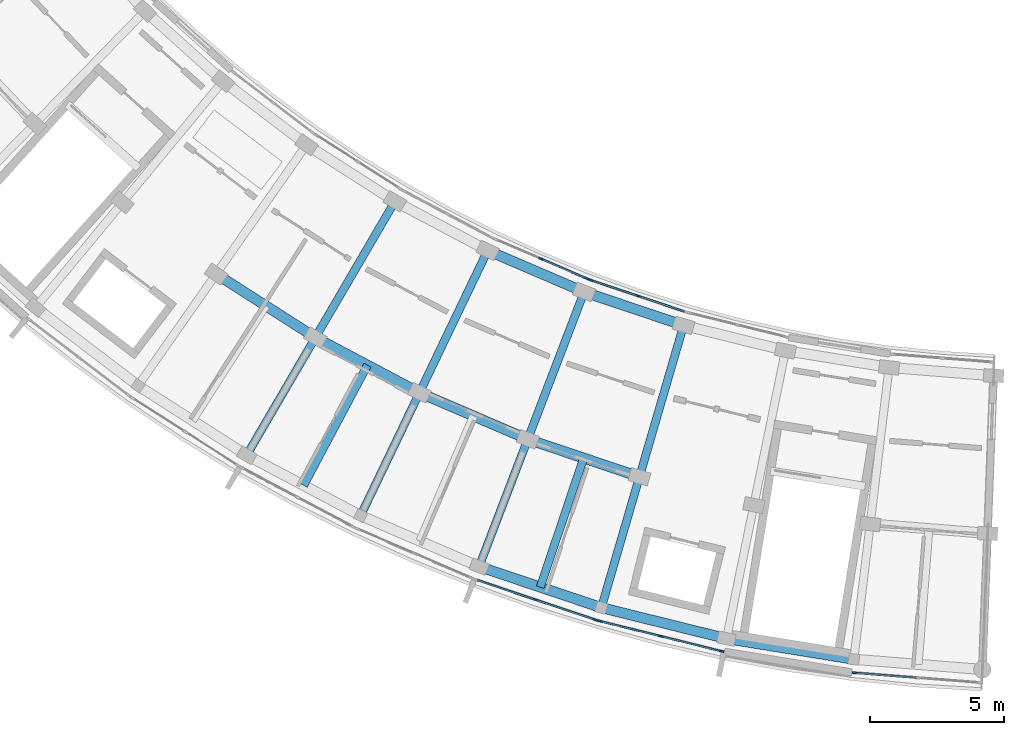
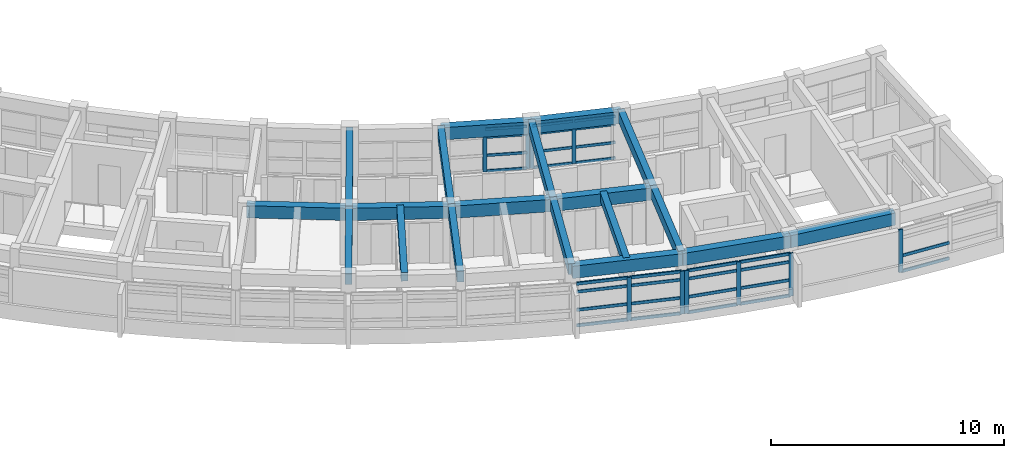
# One storey, part 10 of 38: 40 members, 19 beams, 5 elements without a shape of their own.
"""IFC4 building model written with IfcOpenShell, lengths in metres."""

from ifc_helpers import new_model, si_unit, direction, frame, origin, origin_2d, place, context, subcontext, project, spatial, rectangle, extrude, material, material_profile, profile_set, type_object, element, aggregate, save


model = new_model("IFC4")

# Units and contexts
model_context = context("Model", 3, precision=1e-05, world=origin(), true_north=direction((0.0, 1.0)))
body_context = subcontext(model_context, "Body", "Model", "MODEL_VIEW")
ifc_project = project(units=[si_unit("LENGTHUNIT", "METRE"), si_unit("AREAUNIT", "SQUARE_METRE"), si_unit("VOLUMEUNIT", "CUBIC_METRE"), si_unit("PLANEANGLEUNIT", "RADIAN"), si_unit("MASSUNIT", "GRAM", prefix="KILO")], contexts=[model_context])

# Site, building, storey
site_placement = place(None, origin())
site = spatial("IfcSite", under=ifc_project, at=site_placement, CompositionType="ELEMENT")
building_placement = place(site_placement, origin())
building = spatial("IfcBuilding", under=site, at=building_placement, Name="Zimvara Arc Housing Community", CompositionType="ELEMENT")
storey_placement = place(building_placement, frame((0.0, 0.0, 29.800048828125)))
storey = spatial("IfcBuildingStorey", under=building, at=storey_placement, Name="L09", CompositionType="ELEMENT", Elevation=29.800048828125)

# Beams
ifc_material_1 = material(Name="Concrete C40/50", Category="concrete")
ifc_material_profile_1 = material_profile(ifc_material_1, rectangle(XDim=0.300048828125, YDim=0.449951171875, at=origin_2d()), Name="RC 300x450")
ifc_profile_set_1 = profile_set([ifc_material_profile_1], Name="Concrete C40/50")
beam_type_1 = type_object("IfcBeamType", Name="BM-RC-300x450", PredefinedType="JOIST", material=ifc_profile_set_1)
for number, where, z_axis, x_axis, name in (
    (1, (100.793212890625, 62.37060546875, 2.695068359375), (-0.46853732736, -0.883443701019, 0.0), (0.883443701019, -0.46853732736, 0.0), "bm:blkC:L09:joist:b4"),
    (2, (108.85205078125, 58.906494140625, 2.695068359375), (-0.318622196545, -0.947881794249, 0.0), (0.947881794249, -0.318622196545, 0.0), "bm:blkC:L09:joist:b6"),
):
    element("IfcBeam", number, at=place(storey_placement, frame(where, z_axis=z_axis, x_axis=x_axis)), inside=storey, type_object=beam_type_1, Name=name, PredefinedType="JOIST", context=body_context, shape_type="SweptSolid", body=[
        extrude(rectangle(XDim=0.300048828125, YDim=0.449951171875, at=origin_2d()), origin(), (0.0, 0.0, 1.0), 5.07568359375),
    ])
ifc_material_2 = material(Name="Concrete C40/50", Category="concrete")
ifc_material_profile_2 = material_profile(ifc_material_2, rectangle(XDim=0.300048828125, YDim=0.550048828125, at=origin_2d()), Name="RC 300x550")
ifc_profile_set_2 = profile_set([ifc_material_profile_2], Name="Concrete C40/50")
beam_type_2 = type_object("IfcBeamType", Name="BM-RC-300x550", PredefinedType="BEAM", material=ifc_profile_set_2)
beam_1_placement = place(storey_placement, frame((101.8173828125, 68.4775390625, 2.64501953125), z_axis=(-0.504237574462, -0.863564976421, 0.0), x_axis=(0.863564976421, -0.504237574462, 0.0)))
element("IfcBeam", 3, at=beam_1_placement, inside=storey, type_object=beam_type_2, Name="bm:blkC:L09:rad:b4:r12", PredefinedType="BEAM", context=body_context, shape_type="SweptSolid", body=[
    extrude(rectangle(XDim=0.300048828125, YDim=0.550048828125, at=origin_2d()), origin(), (0.0, 0.0, 1.0), 5.8798828125),
])
beam_2_placement = place(storey_placement, frame((98.8525390625, 63.39990234375, 2.64501953125), z_axis=(-0.504196701544, -0.863588840915, 0.0), x_axis=(0.863588840915, -0.504196701544, 0.0)))
element("IfcBeam", 4, at=beam_2_placement, inside=storey, type_object=beam_type_2, Name="bm:blkC:L09:rad:b4:r23", PredefinedType="BEAM", context=body_context, shape_type="SweptSolid", body=[
    extrude(rectangle(XDim=0.300048828125, YDim=0.550048828125, at=origin_2d()), origin(), (0.0, 0.0, 1.0), 5.079833984375),
])
beam_3_placement = place(storey_placement, frame((105.2744140625, 66.644287109375, 2.64501953125), z_axis=(-0.432053349188, -0.901848048983, 0.0), x_axis=(0.901848048983, -0.432053349188, 0.0)))
element("IfcBeam", 5, at=beam_3_placement, inside=storey, type_object=beam_type_2, Name="bm:blkC:L09:rad:b5:r12", PredefinedType="BEAM", context=body_context, shape_type="SweptSolid", body=[
    extrude(rectangle(XDim=0.300048828125, YDim=0.550048828125, at=origin_2d()), origin(), (0.0, 0.0, 1.0), 5.880126953125),
])
beam_4_placement = place(storey_placement, frame((102.73388671875, 61.34130859375, 2.64501953125), z_axis=(-0.432098194978, -0.901826563091, 0.0), x_axis=(0.901826563091, -0.432098194978, 0.0)))
element("IfcBeam", 6, at=beam_4_placement, inside=storey, type_object=beam_type_2, Name="bm:blkC:L09:rad:b5:r23", PredefinedType="BEAM", context=body_context, shape_type="SweptSolid", body=[
    extrude(rectangle(XDim=0.300048828125, YDim=0.550048828125, at=origin_2d()), origin(), (0.0, 0.0, 1.0), 5.080078125),
])
beam_5_placement = place(storey_placement, frame((108.869384765625, 65.098876953125, 2.64501953125), z_axis=(-0.357036247742, -0.934090529766, 0.0), x_axis=(0.934090529766, -0.357036247742, 0.0)))
element("IfcBeam", 7, at=beam_5_placement, inside=storey, type_object=beam_type_2, Name="bm:blkC:L09:rad:b6:r12", PredefinedType="BEAM", context=body_context, shape_type="SweptSolid", body=[
    extrude(rectangle(XDim=0.300048828125, YDim=0.550048828125, at=origin_2d()), origin(), (0.0, 0.0, 1.0), 5.8798828125),
])
beam_6_placement = place(storey_placement, frame((106.77001953125, 59.6064453125, 2.64501953125), z_axis=(-0.357078271386, -0.934074466038, 0.0), x_axis=(0.934074466038, -0.357078271386, 0.0)))
element("IfcBeam", 8, at=beam_6_placement, inside=storey, type_object=beam_type_2, Name="bm:blkC:L09:rad:b6:r23", PredefinedType="BEAM", context=body_context, shape_type="SweptSolid", body=[
    extrude(rectangle(XDim=0.300048828125, YDim=0.550048828125, at=origin_2d()), origin(), (0.0, 0.0, 1.0), 5.080078125),
])
beam_7_placement = place(storey_placement, frame((112.57861328125, 63.85205078125, 2.64501953125), z_axis=(-0.27964761269, -0.960102709462, 0.0), x_axis=(0.960102709462, -0.27964761269, 0.0)))
element("IfcBeam", 9, at=beam_7_placement, inside=storey, type_object=beam_type_2, Name="bm:blkC:L09:rad:b7:r12", PredefinedType="BEAM", context=body_context, shape_type="SweptSolid", body=[
    extrude(rectangle(XDim=0.300048828125, YDim=0.550048828125, at=origin_2d()), origin(), (0.0, 0.0, 1.0), 5.8798828125),
])
beam_8_placement = place(storey_placement, frame((110.934326171875, 58.206787109375, 2.64501953125), z_axis=(-0.279693649113, -0.960089299308, 0.0), x_axis=(0.960089299308, -0.279693649113, 0.0)))
element("IfcBeam", 10, at=beam_8_placement, inside=storey, type_object=beam_type_2, Name="bm:blkC:L09:rad:b7:r23", PredefinedType="BEAM", context=body_context, shape_type="SweptSolid", body=[
    extrude(rectangle(XDim=0.300048828125, YDim=0.550048828125, at=origin_2d()), origin(), (0.0, 0.0, 1.0), 5.080078125),
])
ifc_material_3 = material(Name="Concrete C40/50", Category="concrete")
ifc_material_profile_3 = material_profile(ifc_material_3, rectangle(XDim=0.3798828125, YDim=0.639892578125, at=origin_2d()), Name="RC 380x640")
ifc_profile_set_3 = profile_set([ifc_material_profile_3], Name="Concrete C40/50")
beam_type_3 = type_object("IfcBeamType", Name="BM-RC-380x640", PredefinedType="BEAM", material=ifc_profile_set_3)
for number, where, z_axis, x_axis, name in (
    (11, (105.2744140625, 66.644287109375, 2.599853515625), (0.918708805961, -0.394935602155, 0.0), (0.394935602155, 0.918708805961, 0.0), "bm:blkC:L09:chord:r1:b5"),
    (12, (108.869384765625, 65.098876953125, 2.599853515625), (0.947881689069, -0.31862250945, 0.0), (0.31862250945, 0.947881689069, 0.0), "bm:blkC:L09:chord:r1:b6"),
):
    element("IfcBeam", number, at=place(storey_placement, frame(where, z_axis=z_axis, x_axis=x_axis)), inside=storey, type_object=beam_type_3, Name=name, PredefinedType="BEAM", context=body_context, shape_type="SweptSolid", body=[
        extrude(rectangle(XDim=0.3798828125, YDim=0.639892578125, at=origin_2d()), origin(), (0.0, 0.0, 1.0), 3.9130859375),
    ])
beam_9_placement = place(storey_placement, frame((95.15234375, 65.76806640625, 2.599853515625), z_axis=(0.842267363538, -0.539060004376, 0.0), x_axis=(0.539060004376, 0.842267363538, 0.0)))
element("IfcBeam", 13, at=beam_9_placement, inside=storey, type_object=beam_type_3, Name="bm:blkC:L09:chord:r2:b3", PredefinedType="BEAM", context=body_context, shape_type="SweptSolid", body=[
    extrude(rectangle(XDim=0.3798828125, YDim=0.639892578125, at=origin_2d()), origin(), (0.0, 0.0, 1.0), 4.39306640625),
])
beam_10_placement = place(storey_placement, frame((98.8525390625, 63.39990234375, 2.599853515625), z_axis=(0.883433524437, -0.468556515162, 0.0), x_axis=(0.468556515162, 0.883433524437, 0.0)))
element("IfcBeam", 14, at=beam_10_placement, inside=storey, type_object=beam_type_3, Name="bm:blkC:L09:chord:r2:b4", PredefinedType="BEAM", context=body_context, shape_type="SweptSolid", body=[
    extrude(rectangle(XDim=0.3798828125, YDim=0.639892578125, at=origin_2d()), origin(), (0.0, 0.0, 1.0), 4.3935546875),
])
for number, where, z_axis, x_axis, name in (
    (15, (102.73388671875, 61.34130859375, 2.599853515625), (0.918724840088, -0.394898301093, 0.0), (0.394898301093, 0.918724840088, 0.0), "bm:blkC:L09:chord:r2:b5"),
    (16, (106.77001953125, 59.6064453125, 2.599853515625), (0.947891222174, -0.318594147665, 0.0), (0.318594147665, 0.947891222174, 0.0), "bm:blkC:L09:chord:r2:b6"),
):
    element("IfcBeam", number, at=place(storey_placement, frame(where, z_axis=z_axis, x_axis=x_axis)), inside=storey, type_object=beam_type_3, Name=name, PredefinedType="BEAM", context=body_context, shape_type="SweptSolid", body=[
        extrude(rectangle(XDim=0.3798828125, YDim=0.639892578125, at=origin_2d()), origin(), (0.0, 0.0, 1.0), 4.393310546875),
    ])
beam_11_placement = place(storey_placement, frame((104.9560546875, 54.861328125, 2.599853515625), z_axis=(0.947877948153, -0.31863363822, 0.0), x_axis=(0.31863363822, 0.947877948153, 0.0)))
element("IfcBeam", 17, at=beam_11_placement, inside=storey, type_object=beam_type_3, Name="bm:blkC:L09:chord:r3:b6", PredefinedType="BEAM", context=body_context, shape_type="SweptSolid", body=[
    extrude(rectangle(XDim=0.3798828125, YDim=0.639892578125, at=origin_2d()), origin(), (0.0, 0.0, 1.0), 4.807861328125),
])
beam_12_placement = place(storey_placement, frame((109.513427734375, 53.329345703125, 2.599853515625), z_axis=(0.970719165502, -0.240217196986, 0.0), x_axis=(0.240217196986, 0.970719165502, 0.0)))
element("IfcBeam", 18, at=beam_12_placement, inside=storey, type_object=beam_type_3, Name="bm:blkC:L09:chord:r3:b7", PredefinedType="BEAM", context=body_context, shape_type="SweptSolid", body=[
    extrude(rectangle(XDim=0.3798828125, YDim=0.639892578125, at=origin_2d()), origin(), (0.0, 0.0, 1.0), 4.808349609375),
])
beam_13_placement = place(storey_placement, frame((114.180908203125, 52.17431640625, 2.599853515625), z_axis=(0.987083566885, -0.160206217065, 0.0), x_axis=(0.160206217065, 0.987083566885, 0.0)))
element("IfcBeam", 19, at=beam_13_placement, inside=storey, type_object=beam_type_3, Name="bm:blkC:L09:chord:r3:b8", PredefinedType="BEAM", context=body_context, shape_type="SweptSolid", body=[
    extrude(rectangle(XDim=0.3798828125, YDim=0.639892578125, at=origin_2d()), origin(), (0.0, 0.0, 1.0), 4.807861328125),
])

# Curtain wall, members
ifc_material_4 = material(Name="Anodised Aluminium AW-6063", Category="aluminium")
curtain_wall_type_1 = type_object("IfcCurtainWallType", Name="CW-SYS-06", PredefinedType="USERDEFINED", material=ifc_material_4)
curtain_wall_1_placement = place(storey_placement, origin())
curtain_wall_1 = element("IfcCurtainWall", 20, at=curtain_wall_1_placement, inside=storey, type_object=curtain_wall_type_1, Name="cw:blkC:L09:in:b5", ObjectType="CURTAIN WALL", PredefinedType="USERDEFINED")
ifc_material_5 = material(Name="Anodised Aluminium AW-6063", Category="aluminium")
ifc_material_profile_4 = material_profile(ifc_material_5, rectangle(XDim=0.06494140625, YDim=0.179931640625, at=origin_2d()), Name="ALU 65x180")
ifc_profile_set_4 = profile_set([ifc_material_profile_4], Name="Anodised Aluminium AW-6063")
member_type_1 = type_object("IfcMemberType", Name="CWM-65x150", PredefinedType="MULLION", material=ifc_profile_set_4)
member_1_placement = place(storey_placement, frame((107.269287109375, 66.33056640625, 0.0), z_axis=(0.0, 0.0, 1.0), x_axis=(0.394903951674, 0.918722411261, 0.0)))
member_1 = element("IfcMember", 21, at=member_1_placement, type_object=member_type_1, Name="CW06 mullion 2", PredefinedType="MULLION", context=body_context, shape_type="SweptSolid", body=[
    extrude(rectangle(XDim=0.06494140625, YDim=0.179931640625, at=origin_2d()), origin(), (0.0, 0.0, 1.0), 2.25),
])
member_2_placement = place(storey_placement, frame((108.963134765625, 65.6025390625, 0.0), z_axis=(0.0, 0.0, 1.0), x_axis=(0.394903951674, 0.918722411261, 0.0)))
member_2 = element("IfcMember", 22, at=member_2_placement, type_object=member_type_1, Name="CW06 mullion 3", PredefinedType="MULLION", context=body_context, shape_type="SweptSolid", body=[
    extrude(rectangle(XDim=0.06494140625, YDim=0.179931640625, at=origin_2d()), origin(), (0.0, 0.0, 1.0), 2.25),
])

ifc_material_6 = material(Name="Anodised Aluminium AW-6063", Category="aluminium")
curtain_wall_type_2 = type_object("IfcCurtainWallType", Name="CW-SYS-08", PredefinedType="USERDEFINED", material=ifc_material_6)
curtain_wall_2_placement = place(storey_placement, origin())
curtain_wall_2 = element("IfcCurtainWall", 23, at=curtain_wall_2_placement, inside=storey, type_object=curtain_wall_type_2, Name="cw:blkC:L09:in:b6", ObjectType="CURTAIN WALL", PredefinedType="USERDEFINED")
member_3_placement = place(storey_placement, frame((109.1357421875, 65.536376953125, 0.0), z_axis=(0.0, 0.0, 1.0), x_axis=(0.318626909491, 0.94788021002, 0.0)))
member_3 = element("IfcMember", 24, at=member_3_placement, type_object=member_type_1, Name="CW08 mullion 1", PredefinedType="MULLION", context=body_context, shape_type="SweptSolid", body=[
    extrude(rectangle(XDim=0.06494140625, YDim=0.179931640625, at=origin_2d()), origin(), (0.0, 0.0, 1.0), 2.25),
])
member_4_placement = place(storey_placement, frame((110.88330078125, 64.948974609375, 0.0), z_axis=(0.0, 0.0, 1.0), x_axis=(0.318626909491, 0.94788021002, 0.0)))
member_4 = element("IfcMember", 25, at=member_4_placement, type_object=member_type_1, Name="CW08 mullion 2", PredefinedType="MULLION", context=body_context, shape_type="SweptSolid", body=[
    extrude(rectangle(XDim=0.06494140625, YDim=0.179931640625, at=origin_2d()), origin(), (0.0, 0.0, 1.0), 2.25),
])

ifc_material_7 = material(Name="Anodised Aluminium AW-6063", Category="aluminium")
curtain_wall_type_3 = type_object("IfcCurtainWallType", Name="CW-SYS-07", PredefinedType="USERDEFINED", material=ifc_material_7)
curtain_wall_3_placement = place(storey_placement, origin())
curtain_wall_3 = element("IfcCurtainWall", 26, at=curtain_wall_3_placement, inside=storey, type_object=curtain_wall_type_3, Name="cw:blkC:L09:out:b6", ObjectType="CURTAIN WALL", PredefinedType="USERDEFINED")
ifc_material_8 = material(Name="Anodised Aluminium AW-6063", Category="aluminium")
ifc_material_profile_5 = material_profile(ifc_material_8, rectangle(XDim=0.06494140625, YDim=0.195068359375, at=origin_2d()), Name="ALU 65x195")
ifc_profile_set_5 = profile_set([ifc_material_profile_5], Name="Anodised Aluminium AW-6063")
member_type_2 = type_object("IfcMemberType", Name="CWM-65x180", PredefinedType="MULLION", material=ifc_profile_set_5)
member_5_placement = place(storey_placement, frame((107.07568359375, 53.621826171875, 0.0), z_axis=(0.0, 0.0, 1.0), x_axis=(0.318628583921, 0.947879647164, 0.0)))
member_5 = element("IfcMember", 27, at=member_5_placement, type_object=member_type_2, Name="CW07 mullion 2", PredefinedType="MULLION", context=body_context, shape_type="SweptSolid", body=[
    extrude(rectangle(XDim=0.06494140625, YDim=0.195068359375, at=origin_2d()), origin(), (0.0, 0.0, 1.0), 2.25),
])
member_6_placement = place(storey_placement, frame((109.2861328125, 52.87890625, 0.0), z_axis=(0.0, 0.0, 1.0), x_axis=(0.318628583921, 0.947879647164, 0.0)))
member_6 = element("IfcMember", 28, at=member_6_placement, type_object=member_type_2, Name="CW07 mullion 3", PredefinedType="MULLION", context=body_context, shape_type="SweptSolid", body=[
    extrude(rectangle(XDim=0.06494140625, YDim=0.195068359375, at=origin_2d()), origin(), (0.0, 0.0, 1.0), 2.25),
])

ifc_material_9 = material(Name="Anodised Aluminium AW-6063", Category="aluminium")
curtain_wall_type_4 = type_object("IfcCurtainWallType", Name="CW-SYS-01", PredefinedType="USERDEFINED", material=ifc_material_9)
curtain_wall_4_placement = place(storey_placement, origin())
curtain_wall_4 = element("IfcCurtainWall", 29, at=curtain_wall_4_placement, inside=storey, type_object=curtain_wall_type_4, Name="cw:blkC:L09:out:b7", ObjectType="CURTAIN WALL", PredefinedType="USERDEFINED")
member_7_placement = place(storey_placement, frame((109.46337890625, 52.8271484375, 0.0), z_axis=(0.0, 0.0, 1.0), x_axis=(0.240229711131, 0.970716068627, 0.0)))
member_7 = element("IfcMember", 30, at=member_7_placement, type_object=member_type_2, Name="CW01 mullion 1", PredefinedType="MULLION", context=body_context, shape_type="SweptSolid", body=[
    extrude(rectangle(XDim=0.06494140625, YDim=0.195068359375, at=origin_2d()), origin(), (0.0, 0.0, 1.0), 2.25),
])
member_8_placement = place(storey_placement, frame((111.72705078125, 52.266845703125, 0.0), z_axis=(0.0, 0.0, 1.0), x_axis=(0.240229711131, 0.970716068627, 0.0)))
member_8 = element("IfcMember", 31, at=member_8_placement, type_object=member_type_2, Name="CW01 mullion 2", PredefinedType="MULLION", context=body_context, shape_type="SweptSolid", body=[
    extrude(rectangle(XDim=0.06494140625, YDim=0.195068359375, at=origin_2d()), origin(), (0.0, 0.0, 1.0), 2.25),
])
member_9_placement = place(storey_placement, frame((113.99072265625, 51.706787109375, 0.0), z_axis=(0.0, 0.0, 1.0), x_axis=(0.240229711131, 0.970716068627, 0.0)))
member_9 = element("IfcMember", 32, at=member_9_placement, type_object=member_type_2, Name="CW01 mullion 3", PredefinedType="MULLION", context=body_context, shape_type="SweptSolid", body=[
    extrude(rectangle(XDim=0.06494140625, YDim=0.195068359375, at=origin_2d()), origin(), (0.0, 0.0, 1.0), 2.25),
])

# Curtain wall, member
ifc_material_10 = material(Name="Anodised Aluminium AW-6063", Category="aluminium")
curtain_wall_type_5 = type_object("IfcCurtainWallType", Name="CW-SYS-03", PredefinedType="USERDEFINED", material=ifc_material_10)
curtain_wall_5_placement = place(storey_placement, origin())
curtain_wall_5 = element("IfcCurtainWall", 33, at=curtain_wall_5_placement, inside=storey, type_object=curtain_wall_type_5, Name="cw:blkC:L09:out:b9", ObjectType="CURTAIN WALL", PredefinedType="USERDEFINED")
member_10_placement = place(storey_placement, frame((118.958984375, 50.900146484375, 0.0), z_axis=(0.0, 0.0, 1.0), x_axis=(0.079153759607, 0.996862418963, 0.0)))
member_10 = element("IfcMember", 34, at=member_10_placement, type_object=member_type_2, Name="CW03 mullion 1", PredefinedType="MULLION", context=body_context, shape_type="SweptSolid", body=[
    extrude(rectangle(XDim=0.06494140625, YDim=0.195068359375, at=origin_2d()), origin(), (0.0, 0.0, 1.0), 2.25),
])

# Member
ifc_material_11 = material(Name="Anodised Aluminium AW-6063", Category="aluminium")
ifc_material_profile_6 = material_profile(ifc_material_11, rectangle(XDim=0.06494140625, YDim=0.139892578125, at=origin_2d()), Name="ALU 65x140")
ifc_profile_set_6 = profile_set([ifc_material_profile_6], Name="Anodised Aluminium AW-6063")
member_type_3 = type_object("IfcMemberType", Name="CWT-65x120", PredefinedType="USERDEFINED", material=ifc_profile_set_6)
member_11_placement = place(storey_placement, frame((107.299072265625, 66.317626953125, 0.032470703125), z_axis=(0.918718495938, -0.394913060334, 0.0), x_axis=(0.394913060334, 0.918718495938, 0.0)))
member_11 = element("IfcMember", 35, at=member_11_placement, type_object=member_type_3, Name="CW06 transom 2.1", ObjectType="TRANSOM", PredefinedType="USERDEFINED", context=body_context, shape_type="SweptSolid", body=[
    extrude(rectangle(XDim=0.06494140625, YDim=0.139892578125, at=origin_2d()), origin(), (0.0, 0.0, 1.0), 1.778564453125),
])

member_12_placement = place(storey_placement, frame((107.299072265625, 66.317626953125, 0.849853515625), z_axis=(0.918718495938, -0.394913060334, 0.0), x_axis=(0.394913060334, 0.918718495938, 0.0)))
member_12 = element("IfcMember", 36, at=member_12_placement, type_object=member_type_3, Name="CW06 transom 2.2", ObjectType="TRANSOM", PredefinedType="USERDEFINED", context=body_context, shape_type="SweptSolid", body=[
    extrude(rectangle(XDim=0.06494140625, YDim=0.139892578125, at=origin_2d()), origin(), (0.0, 0.0, 1.0), 1.778564453125),
])

member_13_placement = place(storey_placement, frame((107.299072265625, 66.317626953125, 1.800048828125), z_axis=(0.918718495938, -0.394913060334, 0.0), x_axis=(0.394913060334, 0.918718495938, 0.0)))
member_13 = element("IfcMember", 37, at=member_13_placement, type_object=member_type_3, Name="CW06 transom 2.3", ObjectType="TRANSOM", PredefinedType="USERDEFINED", context=body_context, shape_type="SweptSolid", body=[
    extrude(rectangle(XDim=0.06494140625, YDim=0.139892578125, at=origin_2d()), origin(), (0.0, 0.0, 1.0), 1.778564453125),
])

member_14_placement = place(storey_placement, frame((107.299072265625, 66.317626953125, 2.217529296875), z_axis=(0.918718495938, -0.394913060334, 0.0), x_axis=(0.394913060334, 0.918718495938, 0.0)))
member_14 = element("IfcMember", 38, at=member_14_placement, type_object=member_type_3, Name="CW06 transom 2.4", ObjectType="TRANSOM", PredefinedType="USERDEFINED", context=body_context, shape_type="SweptSolid", body=[
    extrude(rectangle(XDim=0.06494140625, YDim=0.139892578125, at=origin_2d()), origin(), (0.0, 0.0, 1.0), 1.778564453125),
])

aggregate(curtain_wall_1, [member_1, member_2, member_11, member_12, member_13, member_14])

member_15_placement = place(storey_placement, frame((109.16650390625, 65.526123046875, 0.032470703125), z_axis=(0.947898028739, -0.318573895845, 0.0), x_axis=(0.318573895845, 0.947898028739, 0.0)))
member_15 = element("IfcMember", 39, at=member_15_placement, type_object=member_type_3, Name="CW08 transom 1.1", ObjectType="TRANSOM", PredefinedType="USERDEFINED", context=body_context, shape_type="SweptSolid", body=[
    extrude(rectangle(XDim=0.06494140625, YDim=0.139892578125, at=origin_2d()), origin(), (0.0, 0.0, 1.0), 1.77880859375),
])

member_16_placement = place(storey_placement, frame((109.16650390625, 65.526123046875, 0.849853515625), z_axis=(0.947898028739, -0.318573895845, 0.0), x_axis=(0.318573895845, 0.947898028739, 0.0)))
member_16 = element("IfcMember", 40, at=member_16_placement, type_object=member_type_3, Name="CW08 transom 1.2", ObjectType="TRANSOM", PredefinedType="USERDEFINED", context=body_context, shape_type="SweptSolid", body=[
    extrude(rectangle(XDim=0.06494140625, YDim=0.139892578125, at=origin_2d()), origin(), (0.0, 0.0, 1.0), 1.77880859375),
])

member_17_placement = place(storey_placement, frame((109.16650390625, 65.526123046875, 1.800048828125), z_axis=(0.947898028739, -0.318573895845, 0.0), x_axis=(0.318573895845, 0.947898028739, 0.0)))
member_17 = element("IfcMember", 41, at=member_17_placement, type_object=member_type_3, Name="CW08 transom 1.3", ObjectType="TRANSOM", PredefinedType="USERDEFINED", context=body_context, shape_type="SweptSolid", body=[
    extrude(rectangle(XDim=0.06494140625, YDim=0.139892578125, at=origin_2d()), origin(), (0.0, 0.0, 1.0), 1.77880859375),
])

member_18_placement = place(storey_placement, frame((109.16650390625, 65.526123046875, 2.217529296875), z_axis=(0.947898028739, -0.318573895845, 0.0), x_axis=(0.318573895845, 0.947898028739, 0.0)))
member_18 = element("IfcMember", 42, at=member_18_placement, type_object=member_type_3, Name="CW08 transom 1.4", ObjectType="TRANSOM", PredefinedType="USERDEFINED", context=body_context, shape_type="SweptSolid", body=[
    extrude(rectangle(XDim=0.06494140625, YDim=0.139892578125, at=origin_2d()), origin(), (0.0, 0.0, 1.0), 1.77880859375),
])

member_19_placement = place(storey_placement, frame((110.9140625, 64.938720703125, 0.032470703125), z_axis=(0.947884095882, -0.318615349246, 0.0), x_axis=(0.318615349246, 0.947884095882, 0.0)))
member_19 = element("IfcMember", 43, at=member_19_placement, type_object=member_type_3, Name="CW08 transom 2.1", ObjectType="TRANSOM", PredefinedType="USERDEFINED", context=body_context, shape_type="SweptSolid", body=[
    extrude(rectangle(XDim=0.06494140625, YDim=0.139892578125, at=origin_2d()), origin(), (0.0, 0.0, 1.0), 1.778564453125),
])

member_20_placement = place(storey_placement, frame((110.9140625, 64.938720703125, 0.849853515625), z_axis=(0.947884095882, -0.318615349246, 0.0), x_axis=(0.318615349246, 0.947884095882, 0.0)))
member_20 = element("IfcMember", 44, at=member_20_placement, type_object=member_type_3, Name="CW08 transom 2.2", ObjectType="TRANSOM", PredefinedType="USERDEFINED", context=body_context, shape_type="SweptSolid", body=[
    extrude(rectangle(XDim=0.06494140625, YDim=0.139892578125, at=origin_2d()), origin(), (0.0, 0.0, 1.0), 1.778564453125),
])

member_21_placement = place(storey_placement, frame((110.9140625, 64.938720703125, 1.800048828125), z_axis=(0.947884095882, -0.318615349246, 0.0), x_axis=(0.318615349246, 0.947884095882, 0.0)))
member_21 = element("IfcMember", 45, at=member_21_placement, type_object=member_type_3, Name="CW08 transom 2.3", ObjectType="TRANSOM", PredefinedType="USERDEFINED", context=body_context, shape_type="SweptSolid", body=[
    extrude(rectangle(XDim=0.06494140625, YDim=0.139892578125, at=origin_2d()), origin(), (0.0, 0.0, 1.0), 1.778564453125),
])

member_22_placement = place(storey_placement, frame((110.9140625, 64.938720703125, 2.217529296875), z_axis=(0.947884095882, -0.318615349246, 0.0), x_axis=(0.318615349246, 0.947884095882, 0.0)))
member_22 = element("IfcMember", 46, at=member_22_placement, type_object=member_type_3, Name="CW08 transom 2.4", ObjectType="TRANSOM", PredefinedType="USERDEFINED", context=body_context, shape_type="SweptSolid", body=[
    extrude(rectangle(XDim=0.06494140625, YDim=0.139892578125, at=origin_2d()), origin(), (0.0, 0.0, 1.0), 1.778564453125),
])

aggregate(curtain_wall_2, [member_3, member_4, member_15, member_16, member_17, member_18, member_19, member_20, member_21, member_22])

ifc_material_12 = material(Name="Anodised Aluminium AW-6063", Category="aluminium")
ifc_material_profile_7 = material_profile(ifc_material_12, rectangle(XDim=0.06494140625, YDim=0.155029296875, at=origin_2d()), Name="ALU 65x155")
ifc_profile_set_7 = profile_set([ifc_material_profile_7], Name="Anodised Aluminium AW-6063")
member_type_4 = type_object("IfcMemberType", Name="CWT-65x140", PredefinedType="USERDEFINED", material=ifc_profile_set_7)
member_23_placement = place(storey_placement, frame((104.89599609375, 54.3544921875, 0.032470703125), z_axis=(0.947872541471, -0.318649721678, 0.0), x_axis=(0.318649721678, 0.947872541471, 0.0)))
member_23 = element("IfcMember", 47, at=member_23_placement, type_object=member_type_4, Name="CW07 transom 1.1", ObjectType="TRANSOM", PredefinedType="USERDEFINED", context=body_context, shape_type="SweptSolid", body=[
    extrude(rectangle(XDim=0.06494140625, YDim=0.155029296875, at=origin_2d()), origin(), (0.0, 0.0, 1.0), 2.26708984375),
])

member_24_placement = place(storey_placement, frame((104.89599609375, 54.3544921875, 0.849853515625), z_axis=(0.947872541471, -0.318649721678, 0.0), x_axis=(0.318649721678, 0.947872541471, 0.0)))
member_24 = element("IfcMember", 48, at=member_24_placement, type_object=member_type_4, Name="CW07 transom 1.2", ObjectType="TRANSOM", PredefinedType="USERDEFINED", context=body_context, shape_type="SweptSolid", body=[
    extrude(rectangle(XDim=0.06494140625, YDim=0.155029296875, at=origin_2d()), origin(), (0.0, 0.0, 1.0), 2.26708984375),
])

member_25_placement = place(storey_placement, frame((104.89599609375, 54.3544921875, 1.800048828125), z_axis=(0.947872541471, -0.318649721678, 0.0), x_axis=(0.318649721678, 0.947872541471, 0.0)))
member_25 = element("IfcMember", 49, at=member_25_placement, type_object=member_type_4, Name="CW07 transom 1.3", ObjectType="TRANSOM", PredefinedType="USERDEFINED", context=body_context, shape_type="SweptSolid", body=[
    extrude(rectangle(XDim=0.06494140625, YDim=0.155029296875, at=origin_2d()), origin(), (0.0, 0.0, 1.0), 2.26708984375),
])

member_26_placement = place(storey_placement, frame((104.89599609375, 54.3544921875, 2.217529296875), z_axis=(0.947872541471, -0.318649721678, 0.0), x_axis=(0.318649721678, 0.947872541471, 0.0)))
member_26 = element("IfcMember", 50, at=member_26_placement, type_object=member_type_4, Name="CW07 transom 1.4", ObjectType="TRANSOM", PredefinedType="USERDEFINED", context=body_context, shape_type="SweptSolid", body=[
    extrude(rectangle(XDim=0.06494140625, YDim=0.155029296875, at=origin_2d()), origin(), (0.0, 0.0, 1.0), 2.26708984375),
])

member_27_placement = place(storey_placement, frame((107.1064453125, 53.611572265625, 0.032470703125), z_axis=(0.947861605379, -0.318682250916, 0.0), x_axis=(0.318682250916, 0.947861605379, 0.0)))
member_27 = element("IfcMember", 51, at=member_27_placement, type_object=member_type_4, Name="CW07 transom 2.1", ObjectType="TRANSOM", PredefinedType="USERDEFINED", context=body_context, shape_type="SweptSolid", body=[
    extrude(rectangle(XDim=0.06494140625, YDim=0.155029296875, at=origin_2d()), origin(), (0.0, 0.0, 1.0), 2.266845703125),
])

member_28_placement = place(storey_placement, frame((107.1064453125, 53.611572265625, 0.849853515625), z_axis=(0.947861605379, -0.318682250916, 0.0), x_axis=(0.318682250916, 0.947861605379, 0.0)))
member_28 = element("IfcMember", 52, at=member_28_placement, type_object=member_type_4, Name="CW07 transom 2.2", ObjectType="TRANSOM", PredefinedType="USERDEFINED", context=body_context, shape_type="SweptSolid", body=[
    extrude(rectangle(XDim=0.06494140625, YDim=0.155029296875, at=origin_2d()), origin(), (0.0, 0.0, 1.0), 2.266845703125),
])

member_29_placement = place(storey_placement, frame((107.1064453125, 53.611572265625, 1.800048828125), z_axis=(0.947861605379, -0.318682250916, 0.0), x_axis=(0.318682250916, 0.947861605379, 0.0)))
member_29 = element("IfcMember", 53, at=member_29_placement, type_object=member_type_4, Name="CW07 transom 2.3", ObjectType="TRANSOM", PredefinedType="USERDEFINED", context=body_context, shape_type="SweptSolid", body=[
    extrude(rectangle(XDim=0.06494140625, YDim=0.155029296875, at=origin_2d()), origin(), (0.0, 0.0, 1.0), 2.266845703125),
])

member_30_placement = place(storey_placement, frame((107.1064453125, 53.611572265625, 2.217529296875), z_axis=(0.947861605379, -0.318682250916, 0.0), x_axis=(0.318682250916, 0.947861605379, 0.0)))
member_30 = element("IfcMember", 54, at=member_30_placement, type_object=member_type_4, Name="CW07 transom 2.4", ObjectType="TRANSOM", PredefinedType="USERDEFINED", context=body_context, shape_type="SweptSolid", body=[
    extrude(rectangle(XDim=0.06494140625, YDim=0.155029296875, at=origin_2d()), origin(), (0.0, 0.0, 1.0), 2.266845703125),
])

aggregate(curtain_wall_3, [member_5, member_6, member_23, member_24, member_25, member_26, member_27, member_28, member_29, member_30])

member_31_placement = place(storey_placement, frame((109.4951171875, 52.8193359375, 0.032470703125), z_axis=(0.970703721793, -0.240279596507, 0.0), x_axis=(0.240279596507, 0.970703721793, 0.0)))
member_31 = element("IfcMember", 55, at=member_31_placement, type_object=member_type_4, Name="CW01 transom 1.1", ObjectType="TRANSOM", PredefinedType="USERDEFINED", context=body_context, shape_type="SweptSolid", body=[
    extrude(rectangle(XDim=0.06494140625, YDim=0.155029296875, at=origin_2d()), origin(), (0.0, 0.0, 1.0), 2.266845703125),
])

member_32_placement = place(storey_placement, frame((109.4951171875, 52.8193359375, 0.849853515625), z_axis=(0.970703721793, -0.240279596507, 0.0), x_axis=(0.240279596507, 0.970703721793, 0.0)))
member_32 = element("IfcMember", 56, at=member_32_placement, type_object=member_type_4, Name="CW01 transom 1.2", ObjectType="TRANSOM", PredefinedType="USERDEFINED", context=body_context, shape_type="SweptSolid", body=[
    extrude(rectangle(XDim=0.06494140625, YDim=0.155029296875, at=origin_2d()), origin(), (0.0, 0.0, 1.0), 2.266845703125),
])

member_33_placement = place(storey_placement, frame((109.4951171875, 52.8193359375, 1.800048828125), z_axis=(0.970703721793, -0.240279596507, 0.0), x_axis=(0.240279596507, 0.970703721793, 0.0)))
member_33 = element("IfcMember", 57, at=member_33_placement, type_object=member_type_4, Name="CW01 transom 1.3", ObjectType="TRANSOM", PredefinedType="USERDEFINED", context=body_context, shape_type="SweptSolid", body=[
    extrude(rectangle(XDim=0.06494140625, YDim=0.155029296875, at=origin_2d()), origin(), (0.0, 0.0, 1.0), 2.266845703125),
])

member_34_placement = place(storey_placement, frame((109.4951171875, 52.8193359375, 2.217529296875), z_axis=(0.970703721793, -0.240279596507, 0.0), x_axis=(0.240279596507, 0.970703721793, 0.0)))
member_34 = element("IfcMember", 58, at=member_34_placement, type_object=member_type_4, Name="CW01 transom 1.4", ObjectType="TRANSOM", PredefinedType="USERDEFINED", context=body_context, shape_type="SweptSolid", body=[
    extrude(rectangle(XDim=0.06494140625, YDim=0.155029296875, at=origin_2d()), origin(), (0.0, 0.0, 1.0), 2.266845703125),
])

member_35_placement = place(storey_placement, frame((111.7587890625, 52.259033203125, 0.032470703125), z_axis=(0.970728837212, -0.240178110172, 0.0), x_axis=(0.240178110172, 0.970728837212, 0.0)))
member_35 = element("IfcMember", 59, at=member_35_placement, type_object=member_type_4, Name="CW01 transom 2.1", ObjectType="TRANSOM", PredefinedType="USERDEFINED", context=body_context, shape_type="SweptSolid", body=[
    extrude(rectangle(XDim=0.06494140625, YDim=0.155029296875, at=origin_2d()), origin(), (0.0, 0.0, 1.0), 2.266845703125),
])

member_36_placement = place(storey_placement, frame((111.7587890625, 52.259033203125, 0.849853515625), z_axis=(0.970728837212, -0.240178110172, 0.0), x_axis=(0.240178110172, 0.970728837212, 0.0)))
member_36 = element("IfcMember", 60, at=member_36_placement, type_object=member_type_4, Name="CW01 transom 2.2", ObjectType="TRANSOM", PredefinedType="USERDEFINED", context=body_context, shape_type="SweptSolid", body=[
    extrude(rectangle(XDim=0.06494140625, YDim=0.155029296875, at=origin_2d()), origin(), (0.0, 0.0, 1.0), 2.266845703125),
])

member_37_placement = place(storey_placement, frame((111.7587890625, 52.259033203125, 1.800048828125), z_axis=(0.970728837212, -0.240178110172, 0.0), x_axis=(0.240178110172, 0.970728837212, 0.0)))
member_37 = element("IfcMember", 61, at=member_37_placement, type_object=member_type_4, Name="CW01 transom 2.3", ObjectType="TRANSOM", PredefinedType="USERDEFINED", context=body_context, shape_type="SweptSolid", body=[
    extrude(rectangle(XDim=0.06494140625, YDim=0.155029296875, at=origin_2d()), origin(), (0.0, 0.0, 1.0), 2.266845703125),
])

member_38_placement = place(storey_placement, frame((111.7587890625, 52.259033203125, 2.217529296875), z_axis=(0.970728837212, -0.240178110172, 0.0), x_axis=(0.240178110172, 0.970728837212, 0.0)))
member_38 = element("IfcMember", 62, at=member_38_placement, type_object=member_type_4, Name="CW01 transom 2.4", ObjectType="TRANSOM", PredefinedType="USERDEFINED", context=body_context, shape_type="SweptSolid", body=[
    extrude(rectangle(XDim=0.06494140625, YDim=0.155029296875, at=origin_2d()), origin(), (0.0, 0.0, 1.0), 2.266845703125),
])

aggregate(curtain_wall_4, [member_7, member_8, member_9, member_31, member_32, member_33, member_34, member_35, member_36, member_37, member_38])

member_39_placement = place(storey_placement, frame((118.991455078125, 50.897705078125, 0.032470703125), z_axis=(0.996862021022, -0.079158771116, 0.0), x_axis=(0.079158771116, 0.996862021022, 0.0)))
member_39 = element("IfcMember", 63, at=member_39_placement, type_object=member_type_4, Name="CW03 transom 1.1", ObjectType="TRANSOM", PredefinedType="USERDEFINED", context=body_context, shape_type="SweptSolid", body=[
    extrude(rectangle(XDim=0.06494140625, YDim=0.155029296875, at=origin_2d()), origin(), (0.0, 0.0, 1.0), 2.266845703125),
])

member_40_placement = place(storey_placement, frame((118.991455078125, 50.897705078125, 0.849853515625), z_axis=(0.996862021022, -0.079158771116, 0.0), x_axis=(0.079158771116, 0.996862021022, 0.0)))
member_40 = element("IfcMember", 64, at=member_40_placement, type_object=member_type_4, Name="CW03 transom 1.2", ObjectType="TRANSOM", PredefinedType="USERDEFINED", context=body_context, shape_type="SweptSolid", body=[
    extrude(rectangle(XDim=0.06494140625, YDim=0.155029296875, at=origin_2d()), origin(), (0.0, 0.0, 1.0), 2.266845703125),
])

aggregate(curtain_wall_5, [member_10, member_39, member_40])

save(model, "model.ifc")
